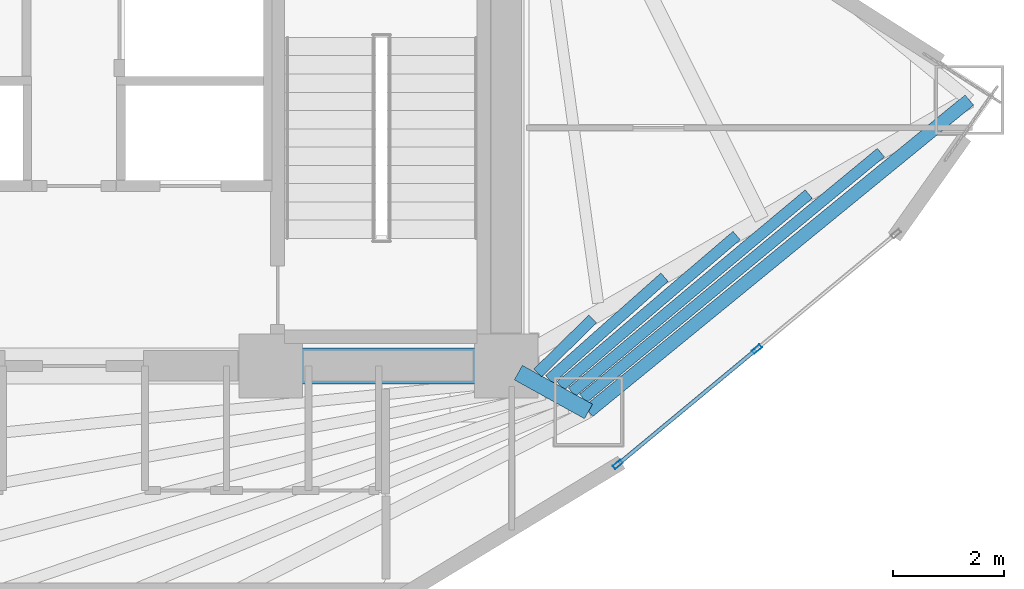
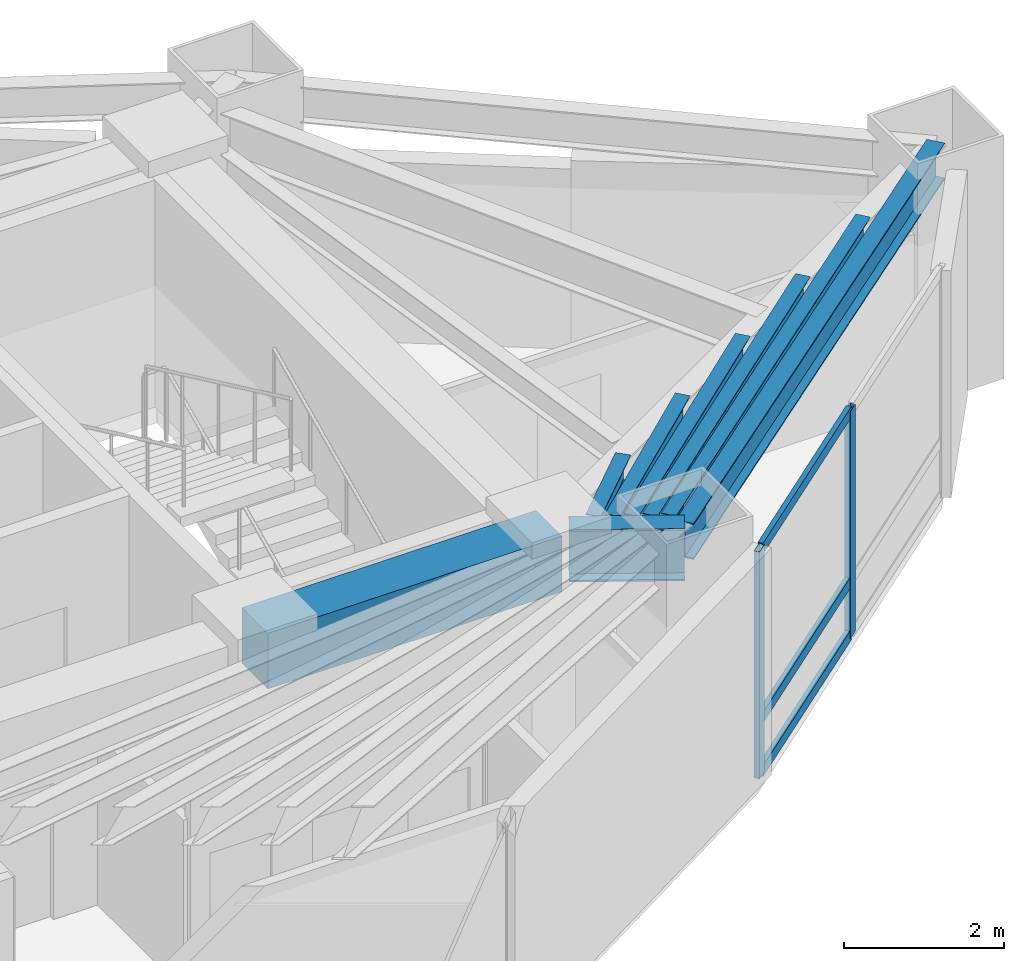
# One storey, part 16 of 23: 8 beams, 5 members, 1 element without a shape of its own.
"""IFC4 building model written with IfcOpenShell, lengths in metres."""

from ifc_helpers import new_model, si_unit, direction, frame, origin, origin_2d, place, context, subcontext, project, spatial, rectangle, hollow_rectangle, i_section, extrude, material, layer, layer_set, material_profile, profile_set, type_object, element, aggregate, save


model = new_model("IFC4")

# Units and contexts
model_context = context("Model", 3, precision=1e-05, world=origin(), true_north=direction((0.0, 1.0)))
body_context = subcontext(model_context, "Body", "Model", "MODEL_VIEW")
ifc_project = project(units=[si_unit("LENGTHUNIT", "METRE"), si_unit("AREAUNIT", "SQUARE_METRE"), si_unit("VOLUMEUNIT", "CUBIC_METRE"), si_unit("PLANEANGLEUNIT", "RADIAN"), si_unit("MASSUNIT", "GRAM", prefix="KILO")], contexts=[model_context])

# Site, building, storey
site_placement = place(None, origin())
site = spatial("IfcSite", under=ifc_project, at=site_placement, CompositionType="ELEMENT")
building_placement = place(site_placement, origin())
building = spatial("IfcBuilding", under=site, at=building_placement, Name="Menara Vayukalpa", CompositionType="ELEMENT")
storey_placement = place(building_placement, frame((0.0, 0.0, 111.419921875)))
storey = spatial("IfcBuildingStorey", under=building, at=storey_placement, Name="L27", CompositionType="ELEMENT", Elevation=111.419921875)

# Beams
ifc_material_1 = material(Name="Concrete C60/75", Category="concrete")
ifc_material_profile_1 = material_profile(ifc_material_1, rectangle(XDim=0.64990234375, YDim=0.85009765625, at=origin_2d()), Name="RC 650x850")
ifc_profile_set_1 = profile_set([ifc_material_profile_1], Name="Concrete C60/75")
beam_type_1 = type_object("IfcBeamType", Name="BM-CB1", PredefinedType="BEAM", material=ifc_profile_set_1)
beam_1_placement = place(storey_placement, frame((29.14990234375, 17.199951171875, 3.045166015625), z_axis=(1.0, 0.0, 0.0), x_axis=(0.0, 1.0, 0.0)))
element("IfcBeam", 1, at=beam_1_placement, inside=storey, type_object=beam_type_1, Name="L27 Core Tie Beam CBR3", PredefinedType="BEAM", context=body_context, shape_type="SweptSolid", body=[
    extrude(rectangle(XDim=0.64990234375, YDim=0.85009765625, at=origin_2d()), origin(), (0.0, 0.0, 1.0), 4.25),
])
ifc_material_2 = material(Name="Steel S355", Category="steel")
ifc_material_profile_2 = material_profile(ifc_material_2, i_section(OverallWidth=0.300048828125, OverallDepth=0.800048828125, WebThickness=0.013916015625, FlangeThickness=0.02587890625, at=origin_2d()), Name="WF 800x300x14x26")
ifc_profile_set_2 = profile_set([ifc_material_profile_2], Name="Steel S355")
beam_type_2 = type_object("IfcBeamType", Name="BM-PG3", PredefinedType="BEAM", material=ifc_profile_set_2)
beam_2_placement = place(storey_placement, frame((33.618896484375, 17.0791015625, 3.070068359375), z_axis=(0.875228391676, -0.48370989488, 0.0), x_axis=(0.48370989488, 0.875228391676, 0.0)))
element("IfcBeam", 2, at=beam_2_placement, inside=storey, type_object=beam_type_2, Name="L27 Primary Radial Girder RG09", PredefinedType="BEAM", context=body_context, shape_type="SweptSolid", body=[
    extrude(i_section(OverallWidth=0.300048828125, OverallDepth=0.800048828125, WebThickness=0.013916015625, FlangeThickness=0.02587890625, at=origin_2d()), origin(), (0.0, 0.0, 1.0), 1.448486328125),
])
ifc_material_3 = material(Name="Steel S355", Category="steel")
ifc_material_profile_3 = material_profile(ifc_material_3, i_section(OverallWidth=0.199951171875, OverallDepth=0.39990234375, WebThickness=0.008056640625, FlangeThickness=0.012939453125, at=origin_2d()), Name="WF 400x200x8x13")
ifc_profile_set_3 = profile_set([ifc_material_profile_3], Name="Steel S355")
beam_type_3 = type_object("IfcBeamType", Name="BM-SJ2", PredefinedType="JOIST", material=ifc_profile_set_3)
beam_3_placement = place(storey_placement, frame((33.968505859375, 17.072021484375, 3.27001953125), z_axis=(0.713567159094, 0.700586832208, 0.0), x_axis=(-0.700586832208, 0.713567159094, 0.0)))
element("IfcBeam", 3, at=beam_3_placement, inside=storey, type_object=beam_type_3, Name="L27 Secondary Floor Joist SJ09-1", PredefinedType="JOIST", context=body_context, shape_type="SweptSolid", body=[
    extrude(i_section(OverallWidth=0.199951171875, OverallDepth=0.39990234375, WebThickness=0.008056640625, FlangeThickness=0.012939453125, at=origin_2d()), origin(), (0.0, 0.0, 1.0), 1.391845703125),
])
beam_4_placement = place(storey_placement, frame((34.177001953125, 16.95361328125, 3.27001953125), z_axis=(0.747951028434, 0.663753914539, 0.0), x_axis=(-0.663753914539, 0.747951028434, 0.0)))
element("IfcBeam", 4, at=beam_4_placement, inside=storey, type_object=beam_type_3, Name="L27 Secondary Floor Joist SJ09-2", PredefinedType="JOIST", context=body_context, shape_type="SweptSolid", body=[
    extrude(i_section(OverallWidth=0.199951171875, OverallDepth=0.39990234375, WebThickness=0.008056640625, FlangeThickness=0.012939453125, at=origin_2d()), origin(), (0.0, 0.0, 1.0), 2.78369140625),
])
beam_5_placement = place(storey_placement, frame((34.382080078125, 16.839111328125, 3.27001953125), z_axis=(0.760566613353, 0.649259906858, 0.0), x_axis=(-0.649259906858, 0.760566613353, 0.0)))
element("IfcBeam", 5, at=beam_5_placement, inside=storey, type_object=beam_type_3, Name="L27 Secondary Floor Joist SJ09-3", PredefinedType="JOIST", context=body_context, shape_type="SweptSolid", body=[
    extrude(i_section(OverallWidth=0.199951171875, OverallDepth=0.39990234375, WebThickness=0.008056640625, FlangeThickness=0.012939453125, at=origin_2d()), origin(), (0.0, 0.0, 1.0), 4.178466796875),
])
beam_6_placement = place(storey_placement, frame((34.586181640625, 16.7255859375, 3.27001953125), z_axis=(0.767139570374, 0.64148022539, 0.0), x_axis=(-0.64148022539, 0.767139570374, 0.0)))
element("IfcBeam", 6, at=beam_6_placement, inside=storey, type_object=beam_type_3, Name="L27 Secondary Floor Joist SJ09-4", PredefinedType="JOIST", context=body_context, shape_type="SweptSolid", body=[
    extrude(i_section(OverallWidth=0.199951171875, OverallDepth=0.39990234375, WebThickness=0.008056640625, FlangeThickness=0.012939453125, at=origin_2d()), origin(), (0.0, 0.0, 1.0), 5.57421875),
])
beam_7_placement = place(storey_placement, frame((34.789794921875, 16.61279296875, 3.27001953125), z_axis=(0.771153144941, 0.636649689428, 0.0), x_axis=(-0.636649689428, 0.771153144941, 0.0)))
element("IfcBeam", 7, at=beam_7_placement, inside=storey, type_object=beam_type_3, Name="L27 Secondary Floor Joist SJ09-5", PredefinedType="JOIST", context=body_context, shape_type="SweptSolid", body=[
    extrude(i_section(OverallWidth=0.199951171875, OverallDepth=0.39990234375, WebThickness=0.008056640625, FlangeThickness=0.012939453125, at=origin_2d()), origin(), (0.0, 0.0, 1.0), 6.969970703125),
])
ifc_material_4 = material(Name="Steel S355", Category="steel")
ifc_material_profile_4 = material_profile(ifc_material_4, i_section(OverallWidth=0.239990234375, OverallDepth=0.550048828125, WebThickness=0.010986328125, FlangeThickness=0.01904296875, at=origin_2d()), Name="WF 550x240x11x19")
ifc_profile_set_4 = profile_set([ifc_material_profile_4], Name="Steel S355")
beam_type_4 = type_object("IfcBeamType", Name="BM-SP2", PredefinedType="SPANDREL", material=ifc_profile_set_4)
beam_8_placement = place(storey_placement, frame((34.88671875, 16.37841796875, 3.195068359375), z_axis=(0.774156906301, 0.632993747541, 0.0), x_axis=(-0.632993747541, 0.774156906301, 0.0)))
element("IfcBeam", 8, at=beam_8_placement, inside=storey, type_object=beam_type_4, Name="L27 Perimeter Spandrel Beam SP09", PredefinedType="SPANDREL", context=body_context, shape_type="SweptSolid", body=[
    extrude(i_section(OverallWidth=0.239990234375, OverallDepth=0.550048828125, WebThickness=0.010986328125, FlangeThickness=0.01904296875, at=origin_2d()), origin(), (0.0, 0.0, 1.0), 8.880859375),
])

# Curtain wall, members
ifc_material_5 = material(Name="Anodised Terracotta Aluminium Alloy 6063-T6", Category="masonry")
ifc_layer = layer(ifc_material_5, 0.179931640625)
ifc_layer_set = layer_set([ifc_layer], Name="Anodised Terracotta Aluminium Alloy 6063-T6")
curtain_wall_type = type_object("IfcCurtainWallType", Name="CW-CW4", PredefinedType="USERDEFINED", material=ifc_layer_set)
curtain_wall_placement = place(storey_placement, origin())
curtain_wall = element("IfcCurtainWall", 9, at=curtain_wall_placement, inside=storey, type_object=curtain_wall_type, Name="L27 Sky Bar Cantilever Glazed Curtain Wall CW4 19", ObjectType="UNITISED", PredefinedType="USERDEFINED")
ifc_material_6 = material(Name="Anodised Terracotta Aluminium Alloy 6063-T6", Category="masonry")
ifc_material_profile_5 = material_profile(ifc_material_6, hollow_rectangle(XDim=0.074951171875, YDim=0.179931640625, WallThickness=0.00390625, at=origin_2d()), Name="ALU 75x180x4")
ifc_profile_set_5 = profile_set([ifc_material_profile_5], Name="Anodised Terracotta Aluminium Alloy 6063-T6")
member_type_1 = type_object("IfcMemberType", Name="CWM-CW4", PredefinedType="MULLION", material=ifc_profile_set_5)
member_1_placement = place(storey_placement, frame((35.414794921875, 15.422119140625, 0.0), z_axis=(0.0, 0.0, 1.0), x_axis=(-0.638345501574, 0.769749972797, 0.0)))
member_1 = element("IfcMember", 10, at=member_1_placement, type_object=member_type_1, Name="CW4 mullion 1", PredefinedType="MULLION", context=body_context, shape_type="SweptSolid", body=[
    extrude(hollow_rectangle(XDim=0.074951171875, YDim=0.179931640625, WallThickness=0.00390625, at=origin_2d()), origin(), (0.0, 0.0, 1.0), 3.469970703125),
])
member_2_placement = place(storey_placement, frame((37.9267578125, 17.505126953125, 0.0), z_axis=(0.0, 0.0, 1.0), x_axis=(-0.638345501574, 0.769749972797, 0.0)))
member_2 = element("IfcMember", 11, at=member_2_placement, type_object=member_type_1, Name="CW4 mullion 2", PredefinedType="MULLION", context=body_context, shape_type="SweptSolid", body=[
    extrude(hollow_rectangle(XDim=0.074951171875, YDim=0.179931640625, WallThickness=0.00390625, at=origin_2d()), origin(), (0.0, 0.0, 1.0), 3.469970703125),
])
ifc_material_7 = material(Name="Anodised Terracotta Aluminium Alloy 6063-T6", Category="masonry")
ifc_material_profile_6 = material_profile(ifc_material_7, hollow_rectangle(XDim=0.070068359375, YDim=0.1650390625, WallThickness=0.00390625, at=origin_2d()), Name="ALU 70x165x4")
ifc_profile_set_6 = profile_set([ifc_material_profile_6], Name="Anodised Terracotta Aluminium Alloy 6063-T6")
member_type_2 = type_object("IfcMemberType", Name="CWT-CW4", PredefinedType="USERDEFINED", material=ifc_profile_set_6)
member_3_placement = place(storey_placement, frame((35.44384765625, 15.446044921875, 0.03515625), z_axis=(0.769750618465, 0.638344722993, 0.0), x_axis=(-0.638344722993, 0.769750618465, 0.0)))
member_3 = element("IfcMember", 12, at=member_3_placement, type_object=member_type_2, Name="CW4 transom 1.1", ObjectType="TRANSOM", PredefinedType="USERDEFINED", context=body_context, shape_type="SweptSolid", body=[
    extrude(hollow_rectangle(XDim=0.070068359375, YDim=0.1650390625, WallThickness=0.00390625, at=origin_2d()), origin(), (0.0, 0.0, 1.0), 3.188232421875),
])
member_4_placement = place(storey_placement, frame((35.44384765625, 15.446044921875, 0.85009765625), z_axis=(0.769750618465, 0.638344722993, 0.0), x_axis=(-0.638344722993, 0.769750618465, 0.0)))
member_4 = element("IfcMember", 13, at=member_4_placement, type_object=member_type_2, Name="CW4 transom 1.2", ObjectType="TRANSOM", PredefinedType="USERDEFINED", context=body_context, shape_type="SweptSolid", body=[
    extrude(hollow_rectangle(XDim=0.070068359375, YDim=0.1650390625, WallThickness=0.00390625, at=origin_2d()), origin(), (0.0, 0.0, 1.0), 3.188232421875),
])
member_5_placement = place(storey_placement, frame((35.44384765625, 15.446044921875, 3.43505859375), z_axis=(0.769750618465, 0.638344722993, 0.0), x_axis=(-0.638344722993, 0.769750618465, 0.0)))
member_5 = element("IfcMember", 14, at=member_5_placement, type_object=member_type_2, Name="CW4 transom 1.3", ObjectType="TRANSOM", PredefinedType="USERDEFINED", context=body_context, shape_type="SweptSolid", body=[
    extrude(hollow_rectangle(XDim=0.070068359375, YDim=0.1650390625, WallThickness=0.00390625, at=origin_2d()), origin(), (0.0, 0.0, 1.0), 3.188232421875),
])
aggregate(curtain_wall, [member_1, member_2, member_3, member_4, member_5])

save(model, "model.ifc")
